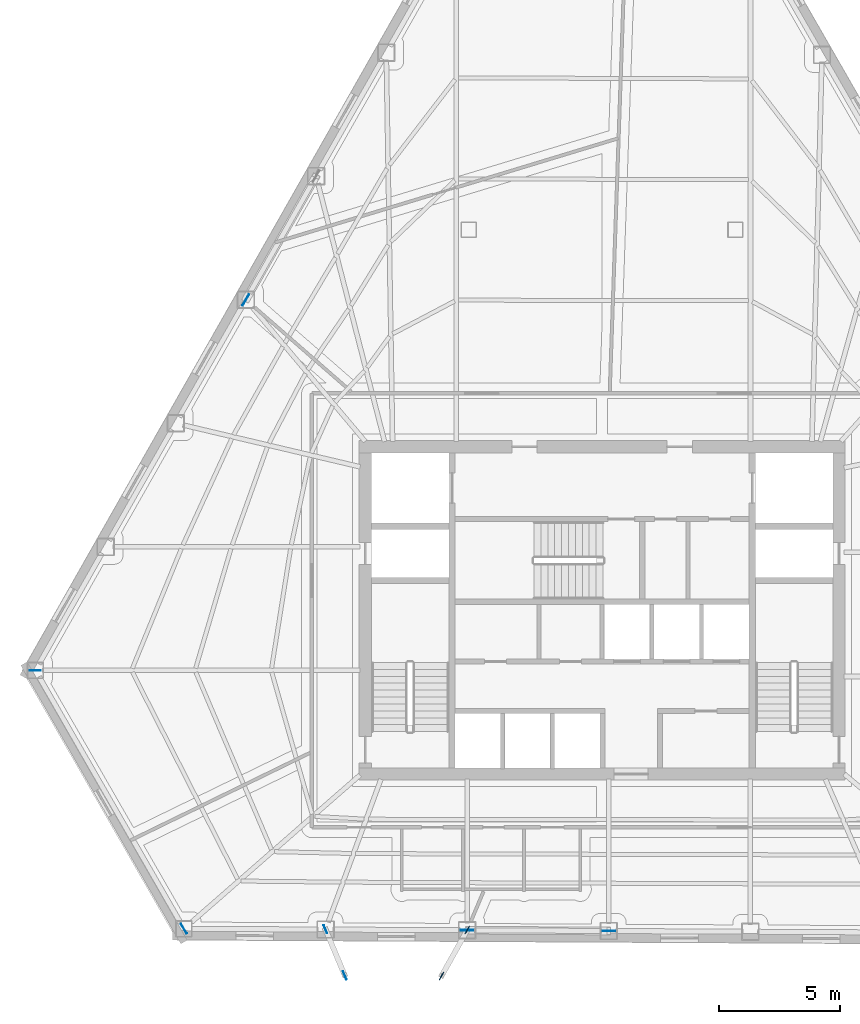
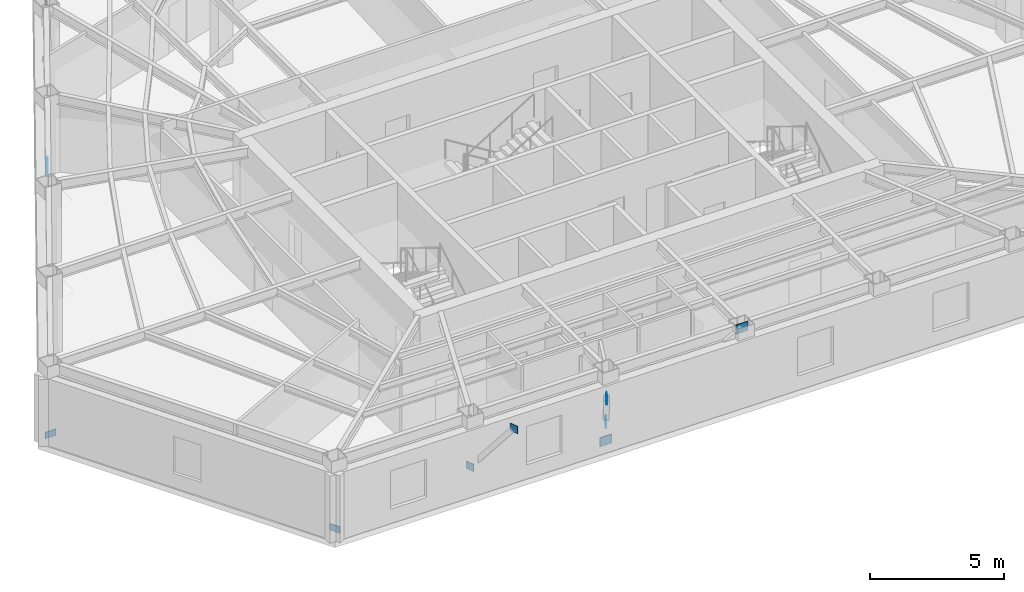
# One storey, part 4 of 13: 9 plates.
"""IFC4 building model written with IfcOpenShell, lengths in metres."""

from ifc_helpers import new_model, si_unit, direction, frame, origin, origin_2d, place, context, subcontext, project, spatial, rectangle, extrude, material, layer, layer_set, type_object, element, save


model = new_model("IFC4")

# Units and contexts
model_context = context("Model", 3, precision=1e-05, world=origin(), true_north=direction((0.0, 1.0)))
body_context = subcontext(model_context, "Body", "Model", "MODEL_VIEW")
ifc_project = project(units=[si_unit("LENGTHUNIT", "METRE"), si_unit("AREAUNIT", "SQUARE_METRE"), si_unit("VOLUMEUNIT", "CUBIC_METRE"), si_unit("PLANEANGLEUNIT", "RADIAN"), si_unit("MASSUNIT", "GRAM", prefix="KILO")], contexts=[model_context])

# Site, building, storey
site_placement = place(None, origin())
site = spatial("IfcSite", under=ifc_project, at=site_placement, CompositionType="ELEMENT")
building_placement = place(site_placement, origin())
building = spatial("IfcBuilding", under=site, at=building_placement, Name="Kavelnor Concourse Tower", CompositionType="ELEMENT")
storey_placement = place(building_placement, frame((0.0, 0.0, 108.60009765625)))
storey = spatial("IfcBuildingStorey", under=building, at=storey_placement, Name="L27", CompositionType="ELEMENT", Elevation=108.60009765625)

# Plates
ifc_material = material(Name="Steel Grade 350", Category="steel")
ifc_layer_1 = layer(ifc_material, 0.028076171875, Name="Steel Grade 350")
ifc_layer_set_1 = layer_set([ifc_layer_1], Name="Steel Grade 350")
plate_type_1 = type_object("IfcPlateType", Name="PL-GUSSET-FOLD", PredefinedType="USERDEFINED", material=ifc_layer_set_1)
for number, where, z_axis, x_axis, name in (
    (1, (14.62353515625, 13.62646484375, 0.10009765625), (0.0, 0.0, 1.0), (1.0, 0.0, 0.0), "L27 Herringbone Corner-Fold Kink Gusset Plate F0-B6"),
    (2, (20.751220703125, 2.966796875, 0.10009765625), (0.0, 0.0, 1.0), (-0.5, 0.866025403784, 0.0), "L27 Herringbone Corner-Fold Kink Gusset Plate F1-B0"),
):
    element("IfcPlate", number, at=place(storey_placement, frame(where, z_axis=z_axis, x_axis=x_axis)), inside=storey, type_object=plate_type_1, Name=name, ObjectType="GUSSET_PLATE", PredefinedType="USERDEFINED", context=body_context, shape_type="SweptSolid", body=[
        extrude(rectangle(XDim=0.4599609375, YDim=0.028076171875, at=origin_2d()), origin(), (0.0, 0.0, 1.0), 0.300048828125),
    ])
for number, where, z_axis, x_axis, name in (
    (3, (26.587646484375, 2.947509765625, 0.8798828125), (0.0, 0.0, 1.0), (0.386710961637, -0.92220097167, 0.0), "L27 Balcony Strut Gusset GP4 1-A End Gusset A"),
    (4, (27.38525390625, 1.045166015625, 3.48486328125), (0.0, 0.0, 1.0), (0.386710961637, -0.92220097167, 0.0), "L27 Balcony Strut Gusset GP4 1-A End Gusset B"),
    (5, (32.439208984375, 2.916748046875, 0.8798828125), (0.0, 0.0, 1.0), (-0.489078012338, -0.872240046001, 0.0), "L27 Balcony Strut Gusset GP4 1-B End Gusset A"),
    (6, (31.37451171875, 1.018310546875, 3.48486328125), (0.0, 0.0, 1.0), (-0.489078012338, -0.872240046001, 0.0), "L27 Balcony Strut Gusset GP4 1-B End Gusset B"),
):
    element("IfcPlate", number, at=place(storey_placement, frame(where, z_axis=z_axis, x_axis=x_axis)), inside=storey, type_object=plate_type_1, Name=name, ObjectType="GUSSET_PLATE", PredefinedType="USERDEFINED", context=body_context, shape_type="SweptSolid", body=[
        extrude(rectangle(XDim=0.360107421875, YDim=0.028076171875, at=origin_2d()), origin(), (0.0, 0.0, 1.0), 0.340087890625),
    ])
ifc_layer_2 = layer(ifc_material, 0.031982421875, Name="Steel Grade 350")
ifc_layer_set_2 = layer_set([ifc_layer_2], Name="Steel Grade 350")
plate_type_2 = type_object("IfcPlateType", Name="PL-GUSSET-TUBE-Z1", PredefinedType="USERDEFINED", material=ifc_layer_set_2)
for number, where, z_axis, x_axis, name in (
    (7, (23.30126953125, 28.905029296875, 0.010009765625), (0.0, 0.0, 1.0), (0.493790103568, 0.86958112538, 0.0), "L27 Tube Brace Gusset GP3 F0-B2 End Gusset A"),
    (8, (32.421142578125, 2.90625, 0.010009765625), (0.0, 0.0, 1.0), (0.999986292247, -0.005235963831, 0.0), "L27 Tube Brace Gusset GP3 F1-B2 End Gusset A"),
    (9, (38.2861328125, 2.875732421875, 3.12353515625), (0.0, 0.0, 1.0), (0.999986292247, -0.005235963831, 0.0), "L27 Tube Brace Gusset GP3 F1-B2 End Gusset B"),
):
    element("IfcPlate", number, at=place(storey_placement, frame(where, z_axis=z_axis, x_axis=x_axis)), inside=storey, type_object=plate_type_2, Name=name, ObjectType="GUSSET_PLATE", PredefinedType="USERDEFINED", context=body_context, shape_type="SweptSolid", body=[
        extrude(rectangle(XDim=0.52001953125, YDim=0.031982421875, at=origin_2d()), origin(), (0.0, 0.0, 1.0), 0.419921875),
    ])

save(model, "model.ifc")
